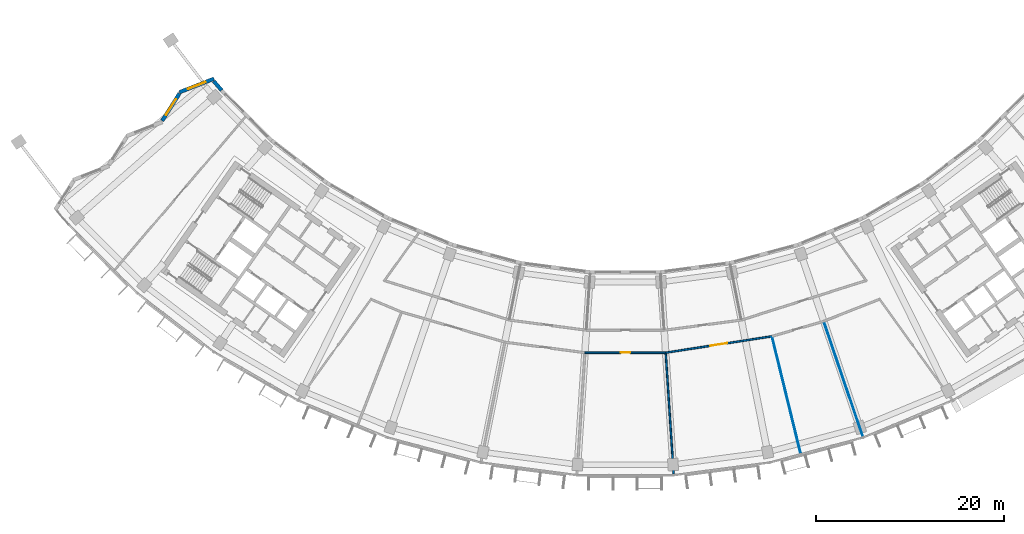
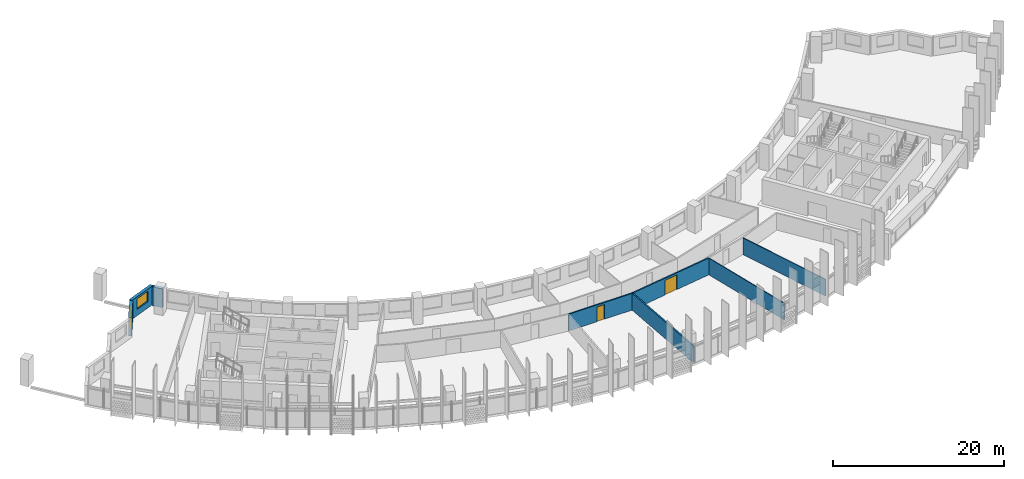
# One storey, part 5 of 27: 8 walls, 2 doors, 2 windows, 4 openings.
"""IFC4 building model written with IfcOpenShell, lengths in metres."""

import ifcopenshell
import ifcopenshell.guid

model = None  # the IFC model being written
_history = None  # IfcOwnerHistory: only IFC2X3 demands one
_inside = {}  # id of a spatial element -> (the spatial element, [elements in it])
_under = {}  # id of a project, library or spatial element -> (it, [spatial elements below it])
_declared = {}  # id of a project -> (the project, [libraries it declares])
_typed = {}  # id of a type object -> (the type object, [elements of that type])
_made_of = {}  # id of a material, layer set ... -> (it, [elements and type objects made of it])


def new_model(schema):
    """Start an empty IFC model of exactly this schema.

    Asked for "IFC4X3", IfcOpenShell would pick the latest addendum, in which some entities
    have other attributes; the version numbers below select the first issue.
    IFC2X3 requires an IfcOwnerHistory on every rooted entity: one is made here for all.
    """
    global model, _history
    if schema == "IFC4X3":
        model = ifcopenshell.file(schema_version=(4, 3, 0, 0))
    else:
        model = ifcopenshell.file(schema=schema)
    _inside.clear()
    _under.clear()
    _declared.clear()
    _typed.clear()
    _made_of.clear()
    _history = None
    if model.schema == "IFC2X3":
        org = make("IfcOrganization", Name="unknown")
        user = make(
            "IfcPersonAndOrganization",
            ThePerson=make("IfcPerson", FamilyName="unknown"),
            TheOrganization=org,
        )
        app = make(
            "IfcApplication",
            ApplicationDeveloper=org,
            Version="unknown",
            ApplicationFullName="unknown",
            ApplicationIdentifier="unknown",
        )
        _history = make(
            "IfcOwnerHistory",
            OwningUser=user,
            OwningApplication=app,
            ChangeAction="ADDED",
            CreationDate=0,
        )
    return model


def make(cls, **values):
    """One entity of the class cls with the attributes given. An attribute that is None is left unset."""
    return model.create_entity(
        cls, **{name: value for name, value in values.items() if value is not None}
    )


def rooted(cls, **values):
    """An entity with a GlobalId (a new one), such as an element, a storey or a relation."""
    return make(cls, GlobalId=ifcopenshell.guid.new(), OwnerHistory=_history, **values)


def si_unit(unit_type, name, prefix=None):
    """IfcSIUnit, for example si_unit("LENGTHUNIT", "METRE", prefix="MILLI")."""
    return make("IfcSIUnit", UnitType=unit_type, Prefix=prefix, Name=name)


def assignment(units):
    """IfcUnitAssignment: the units of a project."""
    return None if units is None else make("IfcUnitAssignment", Units=units)


def point(xyz):
    """IfcCartesianPoint."""
    return None if xyz is None else make("IfcCartesianPoint", Coordinates=xyz)


def direction(xyz):
    """IfcDirection."""
    return None if xyz is None else make("IfcDirection", DirectionRatios=xyz)


def frame(location, z_axis=None, x_axis=None):
    """IfcAxis2Placement3D, a coordinate frame: its origin and axes. An axis left out is left unset."""
    return make(
        "IfcAxis2Placement3D",
        Location=point(location),
        Axis=direction(z_axis),
        RefDirection=direction(x_axis),
    )


def frame_2d(location, x_axis=None):
    """IfcAxis2Placement2D, a coordinate frame in the plane: its origin and x axis."""
    return make(
        "IfcAxis2Placement2D", Location=point(location), RefDirection=direction(x_axis)
    )


def origin():
    """The frame at (0, 0, 0) with its axes left unset."""
    return frame((0.0, 0.0, 0.0))


def place(relative_to, where):
    """IfcLocalPlacement: puts the frame where relative to a parent placement (None: the world)."""
    return make(
        "IfcLocalPlacement", PlacementRelTo=relative_to, RelativePlacement=where
    )


def context(
    kind, dimensions, precision=None, world=None, true_north=None, identifier=None
):
    """IfcGeometricRepresentationContext, for example the 3D "Model" context."""
    return make(
        "IfcGeometricRepresentationContext",
        ContextIdentifier=identifier,
        ContextType=kind,
        CoordinateSpaceDimension=dimensions,
        Precision=precision,
        WorldCoordinateSystem=world,
        TrueNorth=true_north,
    )


def subcontext(parent, identifier, kind, view, scale=None):
    """IfcGeometricRepresentationSubContext, for example "Body" below "Model"."""
    return make(
        "IfcGeometricRepresentationSubContext",
        ContextIdentifier=identifier,
        ContextType=kind,
        ParentContext=parent,
        TargetScale=scale,
        TargetView=view,
    )


def project(units=None, contexts=None):
    """IfcProject with its units and contexts."""
    return rooted(
        "IfcProject",
        Name="project",
        RepresentationContexts=contexts,
        UnitsInContext=assignment(units),
    )


def spatial(cls, under=None, at=None, **own):
    """A site, building, storey or space (cls), placed at a placement, below another one or the project."""
    s = rooted(cls, ObjectPlacement=at, **own)
    if under is not None:
        _under.setdefault(under.id(), (under, []))[1].append(s)
    return s


def profile(cls, at=None, kind="AREA", **sizes):
    """A parametric profile (cls). Its sizes go by their IFC names, for example OverallWidth=200.0."""
    return make(cls, ProfileType=kind, Position=at, **sizes)


def rectangle(**sizes):
    """IfcRectangleProfileDef."""
    return profile("IfcRectangleProfileDef", **sizes)


def extrude(swept, where, along, depth):
    """IfcExtrudedAreaSolid: the profile swept, set in the frame where, extruded along a direction by depth."""
    return make(
        "IfcExtrudedAreaSolid",
        SweptArea=swept,
        Position=where,
        ExtrudedDirection=direction(along),
        Depth=depth,
    )


def shape(context_of_items, identifier, shape_type, items):
    """IfcShapeRepresentation: the items that make up one representation, for example the "Body"."""
    return make(
        "IfcShapeRepresentation",
        ContextOfItems=context_of_items,
        RepresentationIdentifier=identifier,
        RepresentationType=shape_type,
        Items=items,
    )


def material(Name=None, Category=None):
    """IfcMaterial."""
    return make("IfcMaterial", Name=Name, Category=Category)


def layer(
    of_material, thickness, ventilated=None, Name=None, Category=None, Priority=None
):
    """IfcMaterialLayer: one layer of a wall or slab, of a material (None: an air gap)."""
    return make(
        "IfcMaterialLayer",
        Material=of_material,
        LayerThickness=thickness,
        IsVentilated=ventilated,
        Name=Name,
        Category=Category,
        Priority=Priority,
    )


def layer_set(layers, Name=None):
    """IfcMaterialLayerSet."""
    return make("IfcMaterialLayerSet", MaterialLayers=layers, LayerSetName=Name)


def made_of(thing, what):
    """Note that an element or type object is made of a material, layer set ...; save() writes the relation."""
    if what is not None:
        _made_of.setdefault(what.id(), (what, []))[1].append(thing)
    return thing


def type_object(cls, material=None, **own):
    """A type object (cls), such as IfcWallType, which elements share."""
    return made_of(rooted(cls, **own), material)


def element(
    cls,
    number,
    at=None,
    inside=None,
    cuts=None,
    type_object=None,
    material=None,
    context=None,
    identifier="Body",
    shape_type=None,
    held_by="IfcProductDefinitionShape",
    body=None,
    shapes=None,
    **own,
):
    """One element of the class cls, such as IfcWall. Its Tag is "e" and its number.

    at: its placement. inside: the storey or other place that contains it. cuts: it is an
    opening in that element (IfcRelVoidsElement). A single representation is given by context,
    identifier, shape_type and body (its items); several are given by shapes. held_by: the class
    of the entity that holds the representations. save() writes the other relations.
    """
    e = rooted(cls, Tag="e%d" % number, ObjectPlacement=at, **own)
    if body is not None:
        shapes = [shape(context, identifier, shape_type, body)]
    if shapes is not None:
        e.Representation = make(held_by, Representations=shapes)
    if inside is not None:
        _inside.setdefault(inside.id(), (inside, []))[1].append(e)
    if cuts is not None:
        rooted(
            "IfcRelVoidsElement", RelatingBuildingElement=cuts, RelatedOpeningElement=e
        )
    if type_object is not None:
        _typed.setdefault(type_object.id(), (type_object, []))[1].append(e)
    return made_of(e, material)


def fill(opening, filler):
    """IfcRelFillsElement: the door or window that sits in an opening."""
    return rooted(
        "IfcRelFillsElement",
        RelatingOpeningElement=opening,
        RelatedBuildingElement=filler,
    )


def aggregate(whole, parts):
    """IfcRelAggregates: a whole, such as a stair, and the parts it consists of."""
    return rooted("IfcRelAggregates", RelatingObject=whole, RelatedObjects=parts)


def save(model, path):
    """Write the relations noted so far, then the file.

    IfcRelAggregates (storeys below a building ...), IfcRelContainedInSpatialStructure (elements
    in a storey), IfcRelDefinesByType, IfcRelAssociatesMaterial and IfcRelDeclares: one each for
    every whole, place, type object, material and project.
    """
    for whole, parts in _under.values():
        aggregate(whole, parts)
    for where, things in _inside.values():
        rooted(
            "IfcRelContainedInSpatialStructure",
            RelatedElements=things,
            RelatingStructure=where,
        )
    for kind, things in _typed.values():
        rooted("IfcRelDefinesByType", RelatedObjects=things, RelatingType=kind)
    for what, things in _made_of.values():
        rooted("IfcRelAssociatesMaterial", RelatedObjects=things, RelatingMaterial=what)
    for by, libraries in _declared.values():
        rooted("IfcRelDeclares", RelatingContext=by, RelatedDefinitions=libraries)
    model.write(path)


model = new_model("IFC4")

# Units and contexts
model_context = context("Model", 3, precision=1e-05, world=origin(), true_north=direction((0.0, 1.0)))
body_context = subcontext(model_context, "Body", "Model", "MODEL_VIEW")
ifc_project = project(units=[si_unit("LENGTHUNIT", "METRE"), si_unit("AREAUNIT", "SQUARE_METRE"), si_unit("VOLUMEUNIT", "CUBIC_METRE"), si_unit("PLANEANGLEUNIT", "RADIAN"), si_unit("MASSUNIT", "GRAM", prefix="KILO")], contexts=[model_context])

# Site, building, storey
site_placement = place(None, origin())
site = spatial("IfcSite", under=ifc_project, at=site_placement, CompositionType="ELEMENT")
building_placement = place(site_placement, origin())
building = spatial("IfcBuilding", under=site, at=building_placement, Name="Qamariyya Broadcast Tower", CompositionType="ELEMENT")
storey_placement = place(building_placement, frame((0.0, 0.0, 164.5)))
storey = spatial("IfcBuildingStorey", under=building, at=storey_placement, Name="L38", CompositionType="ELEMENT", Elevation=164.5)

# Walls
ifc_material_1 = material(Name="Gypsum board partition")
ifc_layer_1 = layer(ifc_material_1, 0.10009765625)
ifc_layer_set_1 = layer_set([ifc_layer_1], Name="Partition 100")
wall_type_1 = type_object("IfcWallType", Name="Partition 100", PredefinedType="PARTITIONING", material=ifc_layer_set_1)
wall_1_placement = place(storey_placement, frame((18.69189453125, -76.396240234375, 0.0), z_axis=(0.0, 0.0, 1.0), x_axis=(-0.237661319239, 0.97134808248, 0.0)))
element("IfcWall", 1, at=wall_1_placement, inside=storey, type_object=wall_type_1, Name="Partition L38-023", PredefinedType="PARTITIONING", context=body_context, shape_type="SweptSolid", body=[
    extrude(rectangle(XDim=12.759521484375, YDim=0.10009765625, at=frame_2d((6.3798828125, 0.0))), origin(), (0.0, 0.0, 1.0), 2.39990234375),
])
wall_2_placement = place(storey_placement, frame((25.329345703125, -74.6181640625, 0.0), z_axis=(0.0, 0.0, 1.0), x_axis=(-0.321431103677, 0.946932967843, 0.0)))
element("IfcWall", 2, at=wall_2_placement, inside=storey, type_object=wall_type_1, Name="Partition L38-026", PredefinedType="PARTITIONING", context=body_context, shape_type="SweptSolid", body=[
    extrude(rectangle(XDim=12.909912109375, YDim=0.10009765625, at=frame_2d((6.455078125, 0.0))), origin(), (0.0, 0.0, 1.0), 2.39990234375),
])

# Wall, opening, door
ifc_layer_2 = layer(ifc_material_1, 0.179931640625)
ifc_layer_set_2 = layer_set([ifc_layer_2], Name="Studio acoustic partition 180 EI 60")
wall_type_2 = type_object("IfcWallType", Name="Studio acoustic partition 180 EI 60", PredefinedType="PARTITIONING", material=ifc_layer_set_2)
wall_3_placement = place(storey_placement, frame((4.303466796875, -65.6591796875, 0.0), z_axis=(0.0, 0.0, 1.0), x_axis=(-1.0, 0.0, 0.0)))
wall_3 = element("IfcWall", 3, at=wall_3_placement, inside=storey, type_object=wall_type_2, Name="Partition L38-013", PredefinedType="PARTITIONING", context=body_context, shape_type="SweptSolid", body=[
    extrude(rectangle(XDim=8.60693359375, YDim=0.179931640625, at=frame_2d((4.303466796875, 0.0))), origin(), (0.0, 0.0, 1.0), 2.39990234375),
])
opening_1_placement = place(wall_3_placement, frame((3.803466796875, 0.0, 0.0)))
opening_1 = element("IfcOpeningElement", 4, at=opening_1_placement, cuts=wall_3, Name="Opening L38-D04", PredefinedType="OPENING", context=body_context, shape_type="SweptSolid", body=[
    extrude(rectangle(XDim=1.0, YDim=2.10009765625, at=frame_2d((0.5, 1.050048828125))), frame((0.0, 0.099853515625, 0.0), z_axis=(0.0, -1.0, 0.0), x_axis=(1.0, 0.0, 0.0)), (0.0, 0.0, 1.0), 0.199951171875),
])
ifc_material_2 = material(Name="Timber fire door leaf", Category="wood")
door_type_1 = type_object("IfcDoorType", Name="Fire door 1000 x 2100 FD60", OperationType="NOTDEFINED", PredefinedType="DOOR", material=ifc_material_2)
door_1_placement = place(opening_1_placement, origin())
door_1 = element("IfcDoor", 5, at=door_1_placement, inside=storey, type_object=door_type_1, Name="Door L38-D04", OperationType="SINGLE_SWING_RIGHT", OverallHeight=2.10009765625, OverallWidth=1.0, PredefinedType="DOOR", context=body_context, shape_type="SweptSolid", body=[
    extrude(rectangle(XDim=1.0, YDim=2.10009765625, at=frame_2d((0.5, 1.050048828125))), frame((0.0, 0.02490234375, 0.0), z_axis=(0.0, -1.0, 0.0), x_axis=(1.0, 0.0, 0.0)), (0.0, 0.0, 1.0), 0.050048828125),
])
fill(opening_1, door_1)

wall_4_placement = place(storey_placement, frame((15.637939453125, -63.914794921875, 0.0), z_axis=(0.0, 0.0, 1.0), x_axis=(-0.988363574422, -0.152109975859, 0.0)))
wall_4 = element("IfcWall", 6, at=wall_4_placement, inside=storey, type_object=wall_type_2, Name="Partition L38-018", PredefinedType="PARTITIONING", context=body_context, shape_type="SweptSolid", body=[
    extrude(rectangle(XDim=11.468017578125, YDim=0.179931640625, at=frame_2d((5.73388671875, 0.0))), origin(), (0.0, 0.0, 1.0), 2.39990234375),
])
opening_2_placement = place(wall_4_placement, frame((4.833984375, 0.0, 0.0)))
opening_2 = element("IfcOpeningElement", 7, at=opening_2_placement, cuts=wall_4, Name="Opening L38-D05", PredefinedType="OPENING", context=body_context, shape_type="SweptSolid", body=[
    extrude(rectangle(XDim=1.800048828125, YDim=2.10009765625, at=frame_2d((0.89990234375, 1.050048828125))), frame((0.0, 0.099853515625, 0.0), z_axis=(0.0, -1.0, 0.0), x_axis=(1.0, 0.0, 0.0)), (0.0, 0.0, 1.0), 0.199951171875),
])
door_type_2 = type_object("IfcDoorType", Name="Double fire door 1800 x 2100 FD60", OperationType="NOTDEFINED", PredefinedType="DOOR", material=ifc_material_2)
door_2_placement = place(opening_2_placement, origin())
door_2 = element("IfcDoor", 8, at=door_2_placement, inside=storey, type_object=door_type_2, Name="Door L38-D05", OperationType="DOUBLE_DOOR_SINGLE_SWING", OverallHeight=2.10009765625, OverallWidth=1.800048828125, PredefinedType="DOOR", context=body_context, shape_type="SweptSolid", body=[
    extrude(rectangle(XDim=1.800048828125, YDim=2.10009765625, at=frame_2d((0.89990234375, 1.050048828125))), frame((0.0, 0.02490234375, 0.0), z_axis=(0.0, -1.0, 0.0), x_axis=(1.0, 0.0, 0.0)), (0.0, 0.0, 1.0), 0.050048828125),
])
fill(opening_2, door_2)

# Wall
wall_5_placement = place(storey_placement, frame((5.15380859375, -78.63134765625, 0.0), z_axis=(0.0, 0.0, 1.0), x_axis=(-0.06541317775, 0.997858264573, 0.0)))
element("IfcWall", 9, at=wall_5_placement, inside=storey, type_object=wall_type_2, Name="Partition L38-019", PredefinedType="PARTITIONING", context=body_context, shape_type="SweptSolid", body=[
    extrude(rectangle(XDim=12.909912109375, YDim=0.179931640625, at=frame_2d((6.455078125, 0.0))), origin(), (0.0, 0.0, 1.0), 2.39990234375),
])

# Wall, opening, window
ifc_material_3 = material(Name="Terracotta", Category="masonry")
ifc_layer_3 = layer(ifc_material_3, 0.39990234375)
ifc_layer_set_3 = layer_set([ifc_layer_3], Name="Terracotta clad wall 400")
wall_type_3 = type_object("IfcWallType", Name="Terracotta clad wall 400", PredefinedType="SOLIDWALL", material=ifc_layer_set_3)
wall_6_placement = place(storey_placement, frame((-43.83740234375, -36.45947265625, 0.0), z_axis=(0.0, 0.0, 1.0), x_axis=(-0.931239130849, -0.364408673299, 0.0)))
wall_6 = element("IfcWall", 10, at=wall_6_placement, inside=storey, type_object=wall_type_3, Name="e-wl-L38-capW0", PredefinedType="SOLIDWALL", context=body_context, shape_type="SweptSolid", body=[
    extrude(rectangle(XDim=3.94873046875, YDim=0.39990234375, at=frame_2d((1.974365234375, 0.0))), origin(), (0.0, 0.0, 1.0), 2.699951171875),
])
opening_3_placement = place(wall_6_placement, frame((0.974365234375, 0.0, 0.89990234375)))
opening_3 = element("IfcOpeningElement", 11, at=opening_3_placement, cuts=wall_6, Name="Opening W4", PredefinedType="OPENING", context=body_context, shape_type="SweptSolid", body=[
    extrude(rectangle(XDim=2.0, YDim=1.5, at=frame_2d((1.0, 0.75))), frame((0.0, 0.2099609375, 0.0), z_axis=(0.0, -1.0, 0.0), x_axis=(1.0, 0.0, 0.0)), (0.0, 0.0, 1.0), 0.419921875),
])
ifc_material_4 = material(Name="Clear low-e double glazed unit in aluminium frame", Category="aluminium")
window_type = type_object("IfcWindowType", Name="Horn bay window 2000 x 1500", PartitioningType="SINGLE_PANEL", PredefinedType="WINDOW", material=ifc_material_4)
window_1_placement = place(opening_3_placement, origin())
window_1 = element("IfcWindow", 12, at=window_1_placement, inside=storey, type_object=window_type, Name="e-w-L38-capW0", OverallHeight=1.5, OverallWidth=2.0, PartitioningType="SINGLE_PANEL", PredefinedType="WINDOW", context=body_context, shape_type="SweptSolid", body=[
    extrude(rectangle(XDim=2.0, YDim=1.5, at=frame_2d((1.0, 0.75))), frame((0.0, 0.030029296875, 0.0), z_axis=(0.0, -1.0, 0.0), x_axis=(1.0, 0.0, 0.0)), (0.0, 0.0, 1.0), 0.06005859375),
])
fill(opening_3, window_1)

wall_7_placement = place(storey_placement, frame((-47.517822265625, -38.035888671875, 0.0), z_axis=(0.0, 0.0, 1.0), x_axis=(-0.535690162221, -0.844414619781, 0.0)))
wall_7 = element("IfcWall", 13, at=wall_7_placement, inside=storey, type_object=wall_type_3, Name="e-wl-L38-capW1", PredefinedType="SOLIDWALL", context=body_context, shape_type="SweptSolid", body=[
    extrude(rectangle(XDim=3.43994140625, YDim=0.39990234375, at=frame_2d((1.719970703125, 0.0))), origin(), (0.0, 0.0, 1.0), 2.699951171875),
])
opening_4_placement = place(wall_7_placement, frame((0.719970703125, 0.0, 0.89990234375)))
opening_4 = element("IfcOpeningElement", 14, at=opening_4_placement, cuts=wall_7, Name="Opening W4", PredefinedType="OPENING", context=body_context, shape_type="SweptSolid", body=[
    extrude(rectangle(XDim=2.0, YDim=1.5, at=frame_2d((1.0, 0.75))), frame((0.0, 0.2099609375, 0.0), z_axis=(0.0, -1.0, 0.0), x_axis=(1.0, 0.0, 0.0)), (0.0, 0.0, 1.0), 0.419921875),
])
window_2_placement = place(opening_4_placement, origin())
window_2 = element("IfcWindow", 15, at=window_2_placement, inside=storey, type_object=window_type, Name="e-w-L38-capW1", OverallHeight=1.5, OverallWidth=2.0, PartitioningType="SINGLE_PANEL", PredefinedType="WINDOW", context=body_context, shape_type="SweptSolid", body=[
    extrude(rectangle(XDim=2.0, YDim=1.5, at=frame_2d((1.0, 0.75))), frame((0.0, 0.030029296875, 0.0), z_axis=(0.0, -1.0, 0.0), x_axis=(1.0, 0.0, 0.0)), (0.0, 0.0, 1.0), 0.06005859375),
])
fill(opening_4, window_2)

# Wall
wall_8_placement = place(storey_placement, frame((-43.02197265625, -37.69482421875, 0.0), z_axis=(0.0, 0.0, 1.0), x_axis=(-0.648102159998, 0.761553406011, 0.0)))
element("IfcWall", 16, at=wall_8_placement, inside=storey, type_object=wall_type_3, Name="e-wl-L38-in00", PredefinedType="SOLIDWALL", context=body_context, shape_type="SweptSolid", body=[
    extrude(rectangle(XDim=1.280517578125, YDim=0.39990234375, at=frame_2d((0.64013671875, 0.0))), origin(), (0.0, 0.0, 1.0), 2.699951171875),
])

save(model, "model.ifc")
